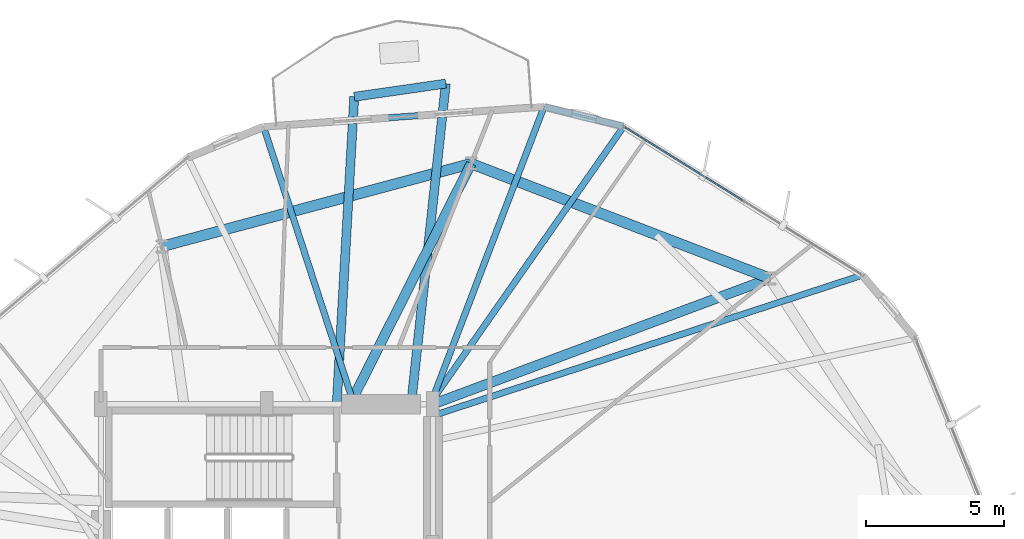
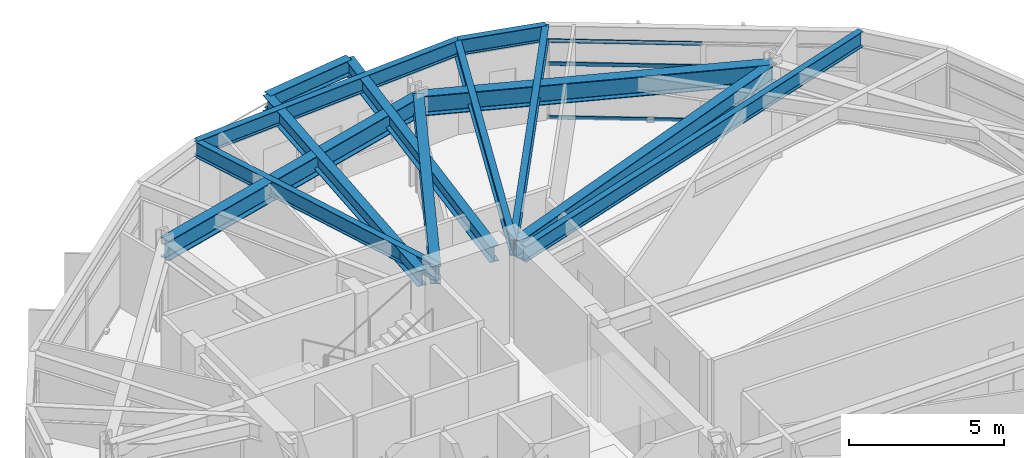
# One storey, part 13 of 22: 13 beams, 3 members, 1 element without a shape of its own.
"""IFC4 building model written with IfcOpenShell, lengths in metres."""

from ifc_helpers import new_model, si_unit, direction, frame, origin, origin_2d, place, context, subcontext, project, spatial, hollow_rectangle, i_section, extrude, material, layer, layer_set, material_profile, profile_set, type_object, element, aggregate, save


model = new_model("IFC4")

# Units and contexts
model_context = context("Model", 3, precision=1e-05, world=origin(), true_north=direction((0.0, 1.0)))
body_context = subcontext(model_context, "Body", "Model", "MODEL_VIEW")
ifc_project = project(units=[si_unit("LENGTHUNIT", "METRE"), si_unit("AREAUNIT", "SQUARE_METRE"), si_unit("VOLUMEUNIT", "CUBIC_METRE"), si_unit("PLANEANGLEUNIT", "RADIAN"), si_unit("MASSUNIT", "GRAM", prefix="KILO")], contexts=[model_context])

# Site, building, storey
site_placement = place(None, origin())
site = spatial("IfcSite", under=ifc_project, at=site_placement, CompositionType="ELEMENT")
building_placement = place(site_placement, origin())
building = spatial("IfcBuilding", under=site, at=building_placement, Name="Soratama Intermodal Tower", CompositionType="ELEMENT")
storey_placement = place(building_placement, frame((0.0, 0.0, 42.60009765625)))
storey = spatial("IfcBuildingStorey", under=building, at=storey_placement, Name="L09", CompositionType="ELEMENT", Elevation=42.60009765625)

# Beams
ifc_material_1 = material(Name="Structural steel ASTM A992 Grade 50", Category="steel")
ifc_material_profile_1 = material_profile(ifc_material_1, i_section(OverallWidth=0.324951171875, OverallDepth=0.615966796875, WebThickness=0.013916015625, FlangeThickness=0.021484375, FilletRadius=0.013916015625, at=origin_2d()), Name="W24X117")
ifc_profile_set_1 = profile_set([ifc_material_profile_1], Name="Structural steel ASTM A992 Grade 50")
beam_type_1 = type_object("IfcBeamType", Name="BM-CANT-W24X117", PredefinedType="BEAM", material=ifc_profile_set_1)
beam_1_placement = place(storey_placement, frame((45.06396484375, 46.5869140625, 3.391845703125), z_axis=(-0.989777893026, -0.142617398929, 0.0), x_axis=(0.142617398929, -0.989777893026, 0.0)))
element("IfcBeam", 1, at=beam_1_placement, inside=storey, type_object=beam_type_1, Name="BM-L09-CBHDR-2", PredefinedType="BEAM", context=body_context, shape_type="SweptSolid", body=[
    extrude(i_section(OverallWidth=0.324951171875, OverallDepth=0.615966796875, WebThickness=0.013916015625, FlangeThickness=0.021484375, FilletRadius=0.013916015625, at=origin_2d()), origin(), (0.0, 0.0, 1.0), 3.34326171875),
])
beam_2_placement = place(storey_placement, frame((43.81591796875, 35.0400390625, 3.391845703125), z_axis=(0.107459380073, 0.994209475731, 0.0), x_axis=(-0.994209475731, 0.107459380073, 0.0)))
element("IfcBeam", 2, at=beam_2_placement, inside=storey, type_object=beam_type_1, Name="BM-L09-CANT-2-1", PredefinedType="BEAM", context=body_context, shape_type="SweptSolid", body=[
    extrude(i_section(OverallWidth=0.324951171875, OverallDepth=0.615966796875, WebThickness=0.013916015625, FlangeThickness=0.021484375, FilletRadius=0.013916015625, at=origin_2d()), origin(), (0.0, 0.0, 1.0), 11.614013671875),
])
beam_3_placement = place(storey_placement, frame((41.1240234375, 35.0400390625, 3.391845703125), z_axis=(0.056895535675, 0.998380137032, 0.0), x_axis=(-0.998380137032, 0.056895535675, 0.0)))
element("IfcBeam", 3, at=beam_3_placement, inside=storey, type_object=beam_type_1, Name="BM-L09-CANT-2-2", PredefinedType="BEAM", context=body_context, shape_type="SweptSolid", body=[
    extrude(i_section(OverallWidth=0.324951171875, OverallDepth=0.615966796875, WebThickness=0.013916015625, FlangeThickness=0.021484375, FilletRadius=0.013916015625, at=origin_2d()), origin(), (0.0, 0.0, 1.0), 11.088134765625),
])
ifc_material_2 = material(Name="Structural steel ASTM A992 Grade 50", Category="steel")
ifc_material_profile_2 = material_profile(ifc_material_2, i_section(OverallWidth=0.35498046875, OverallDepth=0.695068359375, WebThickness=0.015380859375, FlangeThickness=0.02490234375, FilletRadius=0.01611328125, at=origin_2d()), Name="W27X146")
ifc_profile_set_2 = profile_set([ifc_material_profile_2], Name="Structural steel ASTM A992 Grade 50")
beam_type_2 = type_object("IfcBeamType", Name="BM-RING-W27X146", PredefinedType="BEAM", material=ifc_profile_set_2)
beam_4_placement = place(storey_placement, frame((44.60009765625, 35.0, 3.352294921875), z_axis=(0.936827486358, 0.349791739189, 0.0), x_axis=(-0.349791739189, 0.936827486358, 0.0)))
element("IfcBeam", 4, at=beam_4_placement, inside=storey, type_object=beam_type_2, Name="BM-L09-RAD-02", PredefinedType="BEAM", context=body_context, shape_type="SweptSolid", body=[
    extrude(i_section(OverallWidth=0.35498046875, OverallDepth=0.695068359375, WebThickness=0.015380859375, FlangeThickness=0.02490234375, FilletRadius=0.01611328125, at=origin_2d()), origin(), (0.0, 0.0, 1.0), 13.002197265625),
])
beam_5_placement = place(storey_placement, frame((41.60009765625, 35.0, 3.352294921875), z_axis=(0.449910017166, 0.893073891934, 0.0), x_axis=(-0.893073891934, 0.449910017166, 0.0)))
element("IfcBeam", 5, at=beam_5_placement, inside=storey, type_object=beam_type_2, Name="BM-L09-RAD-03", PredefinedType="BEAM", context=body_context, shape_type="SweptSolid", body=[
    extrude(i_section(OverallWidth=0.35498046875, OverallDepth=0.695068359375, WebThickness=0.015380859375, FlangeThickness=0.02490234375, FilletRadius=0.01611328125, at=origin_2d()), origin(), (0.0, 0.0, 1.0), 9.735107421875),
])
ifc_material_3 = material(Name="Structural steel ASTM A992 Grade 50", Category="steel")
ifc_material_profile_3 = material_profile(ifc_material_3, i_section(OverallWidth=0.382080078125, OverallDepth=0.779052734375, WebThickness=0.01806640625, FlangeThickness=0.030029296875, FilletRadius=0.01806640625, at=origin_2d()), Name="W30X191")
ifc_profile_set_3 = profile_set([ifc_material_profile_3], Name="Structural steel ASTM A992 Grade 50")
beam_type_3 = type_object("IfcBeamType", Name="BM-RING-W30X191", PredefinedType="BEAM", material=ifc_profile_set_3)
beam_6_placement = place(storey_placement, frame((56.781005859375, 39.548095703125, 3.310302734375), z_axis=(-0.933584159632, 0.358358224246, 0.0), x_axis=(-0.358358224246, -0.933584159632, 0.0)))
element("IfcBeam", 6, at=beam_6_placement, inside=storey, type_object=beam_type_3, Name="BM-L09-RING-02", PredefinedType="BEAM", context=body_context, shape_type="SweptSolid", body=[
    extrude(i_section(OverallWidth=0.382080078125, OverallDepth=0.779052734375, WebThickness=0.01806640625, FlangeThickness=0.030029296875, FilletRadius=0.01806640625, at=origin_2d()), origin(), (0.0, 0.0, 1.0), 11.5693359375),
])
beam_7_placement = place(storey_placement, frame((45.97998046875, 43.694091796875, 3.310302734375), z_axis=(-0.965935902196, -0.258781438376, 0.0), x_axis=(0.258781438376, -0.965935902196, 0.0)))
element("IfcBeam", 7, at=beam_7_placement, inside=storey, type_object=beam_type_3, Name="BM-L09-RING-03", PredefinedType="BEAM", context=body_context, shape_type="SweptSolid", body=[
    extrude(i_section(OverallWidth=0.382080078125, OverallDepth=0.779052734375, WebThickness=0.01806640625, FlangeThickness=0.030029296875, FilletRadius=0.01806640625, at=origin_2d()), origin(), (0.0, 0.0, 1.0), 11.570068359375),
])
ifc_material_4 = material(Name="Structural steel ASTM A992 Grade 50", Category="steel")
ifc_material_profile_4 = material_profile(ifc_material_4, i_section(OverallWidth=0.22900390625, OverallDepth=0.612060546875, WebThickness=0.011962890625, FlangeThickness=0.01953125, FilletRadius=0.012939453125, at=origin_2d()), Name="W24X84")
ifc_profile_set_4 = profile_set([ifc_material_profile_4], Name="Structural steel ASTM A992 Grade 50")
beam_type_4 = type_object("IfcBeamType", Name="BM-SPN-W24X84", PredefinedType="SPANDREL", material=ifc_profile_set_4)
beam_8_placement = place(storey_placement, frame((51.4951171875, 45.0390625, 3.393798828125), z_axis=(-0.970706164126, 0.240269729529, 0.0), x_axis=(-0.240269729529, -0.970706164126, 0.0)))
element("IfcBeam", 8, at=beam_8_placement, inside=storey, type_object=beam_type_4, Name="BS-L09-CRN02", PredefinedType="SPANDREL", context=body_context, shape_type="SweptSolid", body=[
    extrude(i_section(OverallWidth=0.22900390625, OverallDepth=0.612060546875, WebThickness=0.011962890625, FlangeThickness=0.01953125, FilletRadius=0.012939453125, at=origin_2d()), origin(), (0.0, 0.0, 1.0), 2.967041015625),
])
beam_9_placement = place(storey_placement, frame((48.614990234375, 45.751953125, 3.393798828125), z_axis=(-0.997467835747, -0.07111903156, 0.0), x_axis=(0.07111903156, -0.997467835747, 0.0)))
element("IfcBeam", 9, at=beam_9_placement, inside=storey, type_object=beam_type_4, Name="BS-L09-F03", PredefinedType="SPANDREL", context=body_context, shape_type="SweptSolid", body=[
    extrude(i_section(OverallWidth=0.22900390625, OverallDepth=0.612060546875, WebThickness=0.011962890625, FlangeThickness=0.01953125, FilletRadius=0.012939453125, at=origin_2d()), origin(), (0.0, 0.0, 1.0), 10.16455078125),
])
ifc_material_5 = material(Name="Structural steel ASTM A992 Grade 50", Category="steel")
ifc_material_profile_5 = material_profile(ifc_material_5, i_section(OverallWidth=0.22900390625, OverallDepth=0.612060546875, WebThickness=0.011962890625, FlangeThickness=0.01953125, FilletRadius=0.012939453125, at=origin_2d()), Name="W24X84")
ifc_profile_set_5 = profile_set([ifc_material_profile_5], Name="Structural steel ASTM A992 Grade 50")
beam_type_5 = type_object("IfcBeamType", Name="BM-TIE-W24X84", PredefinedType="BEAM", material=ifc_profile_set_5)
beam_10_placement = place(storey_placement, frame((44.637939453125, 34.597900390625, 3.393798828125), z_axis=(0.950427809503, 0.310945298926, 0.0), x_axis=(-0.310945298926, 0.950427809503, 0.0)))
element("IfcBeam", 10, at=beam_10_placement, inside=storey, type_object=beam_type_5, Name="BM-L09-TIE0-02", PredefinedType="BEAM", context=body_context, shape_type="SweptSolid", body=[
    extrude(i_section(OverallWidth=0.22900390625, OverallDepth=0.612060546875, WebThickness=0.011962890625, FlangeThickness=0.01953125, FilletRadius=0.012939453125, at=origin_2d()), origin(), (0.0, 0.0, 1.0), 16.292724609375),
])
beam_11_placement = place(storey_placement, frame((44.4990234375, 35.032958984375, 3.393798828125), z_axis=(0.573012677785, 0.819546503316, 0.0), x_axis=(-0.819546503316, 0.573012677785, 0.0)))
element("IfcBeam", 11, at=beam_11_placement, inside=storey, type_object=beam_type_5, Name="BM-L09-TIE1-02", PredefinedType="BEAM", context=body_context, shape_type="SweptSolid", body=[
    extrude(i_section(OverallWidth=0.22900390625, OverallDepth=0.612060546875, WebThickness=0.011962890625, FlangeThickness=0.01953125, FilletRadius=0.012939453125, at=origin_2d()), origin(), (0.0, 0.0, 1.0), 12.209228515625),
])
beam_12_placement = place(storey_placement, frame((44.527099609375, 35.037109375, 3.393798828125), z_axis=(0.356455623128, 0.93431225441, 0.0), x_axis=(-0.93431225441, 0.356455623128, 0.0)))
element("IfcBeam", 12, at=beam_12_placement, inside=storey, type_object=beam_type_5, Name="BM-L09-TIE0-03", PredefinedType="BEAM", context=body_context, shape_type="SweptSolid", body=[
    extrude(i_section(OverallWidth=0.22900390625, OverallDepth=0.612060546875, WebThickness=0.011962890625, FlangeThickness=0.01953125, FilletRadius=0.012939453125, at=origin_2d()), origin(), (0.0, 0.0, 1.0), 11.46826171875),
])
beam_13_placement = place(storey_placement, frame((41.72998046875, 35.0380859375, 3.393798828125), z_axis=(-0.309674963689, 0.950842477419, 0.0), x_axis=(-0.950842477419, -0.309674963689, 0.0)))
element("IfcBeam", 13, at=beam_13_placement, inside=storey, type_object=beam_type_5, Name="BM-L09-TIE1-03", PredefinedType="BEAM", context=body_context, shape_type="SweptSolid", body=[
    extrude(i_section(OverallWidth=0.22900390625, OverallDepth=0.612060546875, WebThickness=0.011962890625, FlangeThickness=0.01953125, FilletRadius=0.012939453125, at=origin_2d()), origin(), (0.0, 0.0, 1.0), 10.507568359375),
])

# Curtain wall, members
ifc_material_6 = material(Name="Double-glazed aluminium curtain wall", Category="aluminium")
ifc_layer = layer(ifc_material_6, 0.159912109375)
ifc_layer_set = layer_set([ifc_layer], Name="Double-glazed aluminium curtain wall")
curtain_wall_type = type_object("IfcCurtainWallType", Name="CW-SYS-2", PredefinedType="NOTDEFINED", material=ifc_layer_set)
curtain_wall_placement = place(storey_placement, origin())
curtain_wall = element("IfcCurtainWall", 14, at=curtain_wall_placement, inside=storey, type_object=curtain_wall_type, Name="L09 Faceted Curtain Wall F02", PredefinedType="NOTDEFINED")
ifc_material_7 = material(Name="Anodised aluminium AA 6063-T6", Category="aluminium")
ifc_material_profile_6 = material_profile(ifc_material_7, hollow_rectangle(XDim=0.06494140625, YDim=0.14990234375, WallThickness=0.0048828125, InnerFilletRadius=0.0048828125, OuterFilletRadius=0.010009765625, at=origin_2d()), Name="CWT150X65X5")
ifc_profile_set_6 = profile_set([ifc_material_profile_6], Name="Anodised aluminium AA 6063-T6")
member_type = type_object("IfcMemberType", Name="TT-CWT-1", PredefinedType="USERDEFINED", material=ifc_profile_set_6)
member_1_placement = place(storey_placement, frame((55.783203125, 42.367431640625, 0.02978515625), z_axis=(-0.8487913225, 0.528727993252, 0.0), x_axis=(-0.528727993252, -0.8487913225, 0.0)))
member_1 = element("IfcMember", 15, at=member_1_placement, type_object=member_type, Name="CW-2 transom 2.1", ObjectType="TRANSOM", PredefinedType="USERDEFINED", context=body_context, shape_type="SweptSolid", body=[
    extrude(hollow_rectangle(XDim=0.06494140625, YDim=0.14990234375, WallThickness=0.0048828125, InnerFilletRadius=0.0048828125, OuterFilletRadius=0.010009765625, at=origin_2d()), origin(), (0.0, 0.0, 1.0), 4.992431640625),
])
member_2_placement = place(storey_placement, frame((55.783203125, 42.367431640625, 2.14990234375), z_axis=(-0.8487913225, 0.528727993252, 0.0), x_axis=(-0.528727993252, -0.8487913225, 0.0)))
member_2 = element("IfcMember", 16, at=member_2_placement, type_object=member_type, Name="CW-2 transom 2.2", ObjectType="TRANSOM", PredefinedType="USERDEFINED", context=body_context, shape_type="SweptSolid", body=[
    extrude(hollow_rectangle(XDim=0.06494140625, YDim=0.14990234375, WallThickness=0.0048828125, InnerFilletRadius=0.0048828125, OuterFilletRadius=0.010009765625, at=origin_2d()), origin(), (0.0, 0.0, 1.0), 4.992431640625),
])
member_3_placement = place(storey_placement, frame((55.783203125, 42.367431640625, 3.048828125), z_axis=(-0.8487913225, 0.528727993252, 0.0), x_axis=(-0.528727993252, -0.8487913225, 0.0)))
member_3 = element("IfcMember", 17, at=member_3_placement, type_object=member_type, Name="CW-2 transom 2.3", ObjectType="TRANSOM", PredefinedType="USERDEFINED", context=body_context, shape_type="SweptSolid", body=[
    extrude(hollow_rectangle(XDim=0.06494140625, YDim=0.14990234375, WallThickness=0.0048828125, InnerFilletRadius=0.0048828125, OuterFilletRadius=0.010009765625, at=origin_2d()), origin(), (0.0, 0.0, 1.0), 4.992431640625),
])
aggregate(curtain_wall, [member_1, member_2, member_3])

save(model, "model.ifc")
